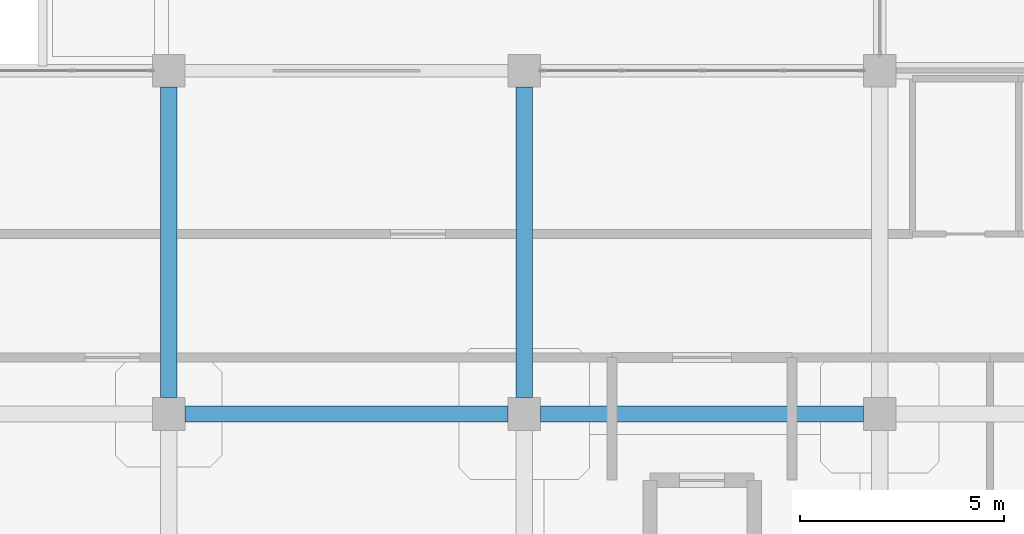
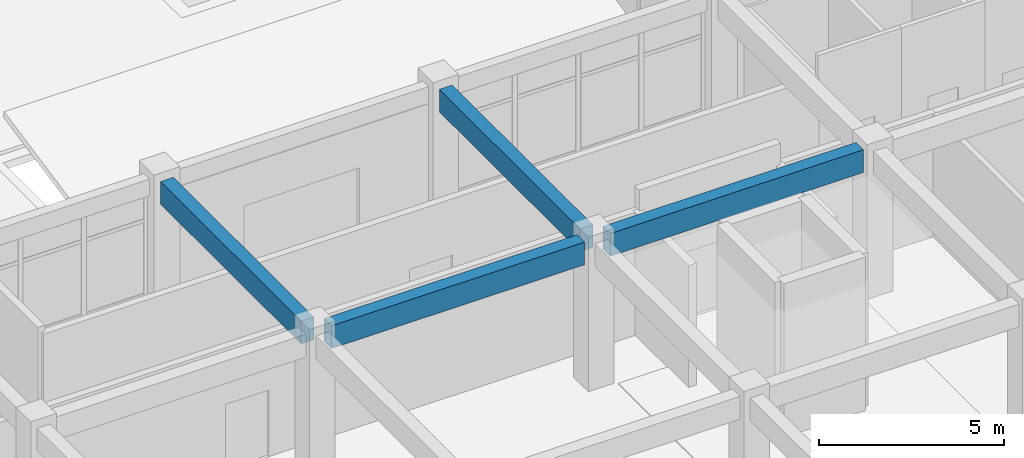
# One storey, part 17 of 124: 4 beams.
"""IFC4 building model written with IfcOpenShell, lengths in metres."""

from ifc_helpers import new_model, si_unit, derived_unit, direction, frame, origin, origin_2d, place, context, subcontext, project, spatial, rectangle, extrude, material, material_profile, profile_set, type_object, element, save


model = new_model("IFC4")

# Units and contexts
model_context = context("Model", 3, precision=1e-05, world=origin(), true_north=direction((0.0, 1.0)))
body_context = subcontext(model_context, "Body", "Model", "MODEL_VIEW")
ifc_project = project(units=[si_unit("LENGTHUNIT", "METRE"), si_unit("AREAUNIT", "SQUARE_METRE"), si_unit("VOLUMEUNIT", "CUBIC_METRE"), si_unit("PLANEANGLEUNIT", "RADIAN"), si_unit("MASSUNIT", "GRAM", prefix="KILO"), derived_unit("THERMALTRANSMITTANCEUNIT", [(si_unit("MASSUNIT", "GRAM", prefix="KILO"), 1), (si_unit("TIMEUNIT", "SECOND"), -3), (si_unit("THERMODYNAMICTEMPERATUREUNIT", "KELVIN"), -1)])], contexts=[model_context])

# Site, building, storey
site_placement = place(None, origin())
site = spatial("IfcSite", under=ifc_project, at=site_placement, CompositionType="ELEMENT")
building_placement = place(site_placement, origin())
building = spatial("IfcBuilding", under=site, at=building_placement, Name="Qinzheling Arcade Emporium", CompositionType="ELEMENT")
storey_placement = place(building_placement, frame((0.0, 0.0, 16.5)))
storey = spatial("IfcBuildingStorey", under=building, at=storey_placement, Name="L04", CompositionType="ELEMENT", Elevation=16.5)

# Beams
ifc_material = material(Name="Concrete C40", Category="concrete")
ifc_material_profile = material_profile(ifc_material, rectangle(XDim=0.39990234375, YDim=0.75, at=origin_2d()), Name="RC 400x750", Category="concrete")
ifc_profile_set = profile_set([ifc_material_profile], Name="Concrete C40")
beam_type = type_object("IfcBeamType", Name="RC Interior Tie Beam 400x750 C40", PredefinedType="BEAM", material=ifc_profile_set)
for number, where, z_axis, x_axis, name in (
    (1, (17.800048828125, 33.60009765625, 4.445068359375), (1.0, 0.0, 0.0), (0.0, 1.0, 0.0), "Beam BM-L04-X-E-3"),
    (2, (26.5, 33.60009765625, 4.445068359375), (1.0, 0.0, 0.0), (0.0, 1.0, 0.0), "Beam BM-L04-X-E-4"),
):
    element("IfcBeam", number, at=place(storey_placement, frame(where, z_axis=z_axis, x_axis=x_axis)), inside=storey, type_object=beam_type, Name=name, PredefinedType="BEAM", context=body_context, shape_type="SweptSolid", body=[
        extrude(rectangle(XDim=0.39990234375, YDim=0.75, at=origin_2d()), origin(), (0.0, 0.0, 1.0), 7.89990234375),
    ])
for number, where, z_axis, x_axis, name in (
    (3, (17.39990234375, 34.0, 4.445068359375), (0.0, 1.0, 0.0), (-1.0, 0.0, 0.0), "Beam BM-L04-Y-3-E"),
    (4, (26.10009765625, 34.0, 4.445068359375), (0.0, 1.0, 0.0), (-1.0, 0.0, 0.0), "Beam BM-L04-Y-4-E"),
):
    element("IfcBeam", number, at=place(storey_placement, frame(where, z_axis=z_axis, x_axis=x_axis)), inside=storey, type_object=beam_type, Name=name, PredefinedType="BEAM", context=body_context, shape_type="SweptSolid", body=[
        extrude(rectangle(XDim=0.39990234375, YDim=0.75, at=origin_2d()), origin(), (0.0, 0.0, 1.0), 7.60009765625),
    ])

save(model, "model.ifc")
